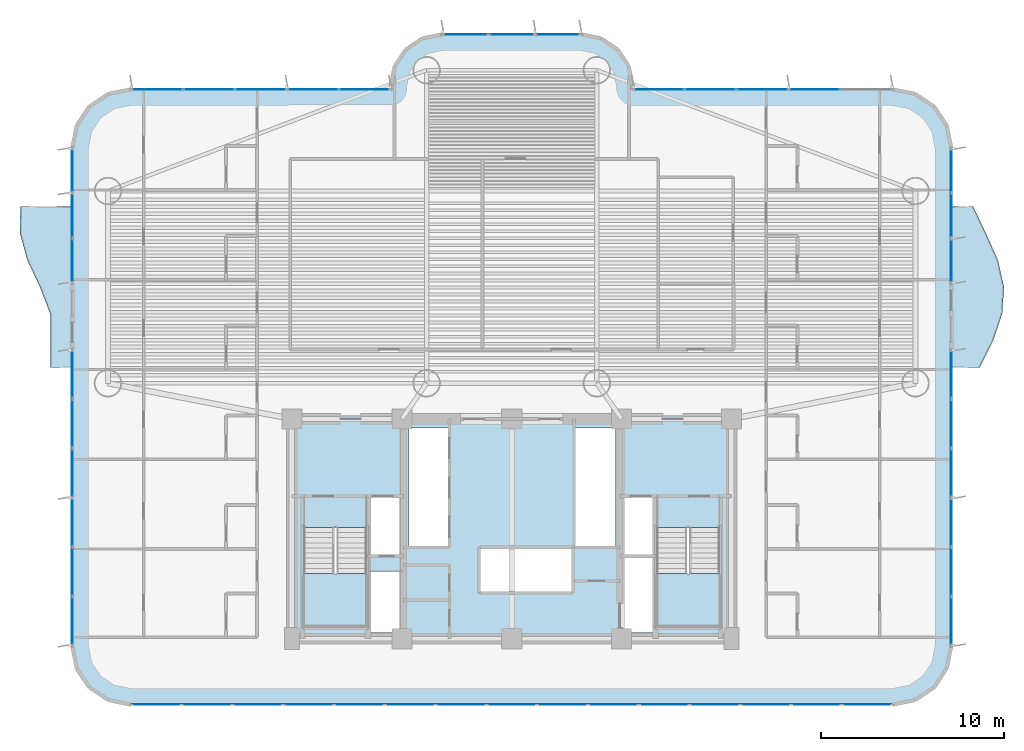
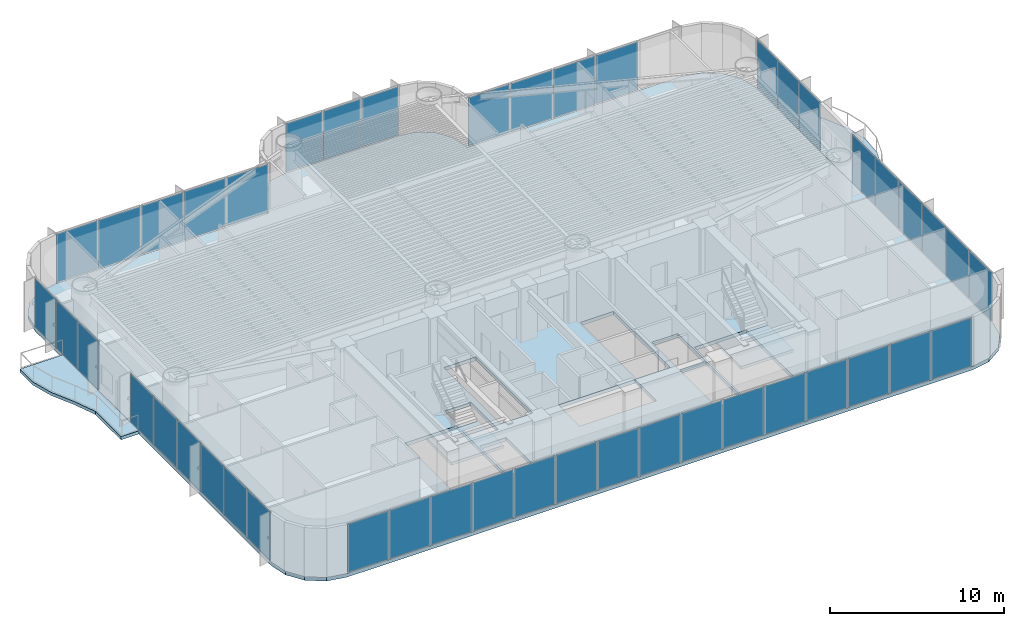
# One storey, part 9 of 19: 45 plates, 5 slabs, 10 elements without a shape of their own.
"""IFC4 building model written with IfcOpenShell, lengths in metres."""

from ifc_helpers import new_model, si_unit, direction, frame, origin, origin_2d, place, context, subcontext, project, spatial, polyline, rectangle, outline, extrude, source, transform, mapped, material, layer, layer_set, type_object, element, aggregate, save


model = new_model("IFC4")

# Units and contexts
model_context = context("Model", 3, precision=1e-05, world=origin(), true_north=direction((0.0, 1.0)))
body_context = subcontext(model_context, "Body", "Model", "MODEL_VIEW")
ifc_project = project(units=[si_unit("LENGTHUNIT", "METRE"), si_unit("AREAUNIT", "SQUARE_METRE"), si_unit("VOLUMEUNIT", "CUBIC_METRE"), si_unit("PLANEANGLEUNIT", "RADIAN"), si_unit("MASSUNIT", "GRAM", prefix="KILO")], contexts=[model_context])

# Site, building, storey
site_placement = place(None, origin())
site = spatial("IfcSite", under=ifc_project, at=site_placement, CompositionType="ELEMENT")
building_placement = place(site_placement, origin())
building = spatial("IfcBuilding", under=site, at=building_placement, Name="Brelvock Crest Care Tower", CompositionType="ELEMENT")
storey_placement = place(building_placement, frame((0.0, 0.0, 68.580078125)))
storey = spatial("IfcBuildingStorey", under=building, at=storey_placement, Name="L17", CompositionType="ELEMENT", Elevation=68.580078125)

# Slabs
ifc_material_1 = material(Name="Concrete N50 (50 MPa)", Category="concrete")
ifc_layer_1 = layer(ifc_material_1, 0.22998046875, Name="SLB-FL4")
ifc_layer_set_1 = layer_set([ifc_layer_1], Name="Concrete N50 (50 MPa)")
slab_type_1 = type_object("IfcSlabType", Name="SLB-FL4", PredefinedType="FLOOR", material=ifc_layer_set_1)
slab_1_placement = place(storey_placement, frame((0.0, 0.0, -0.25)))
element("IfcSlab", 1, at=slab_1_placement, inside=storey, type_object=slab_type_1, Name="L17 Main Structural Slab", PredefinedType="FLOOR", context=body_context, shape_type="SweptSolid", body=[
    extrude(outline(polyline([(56.800048828125, 36.0), (42.60009765625, 36.0), (42.60009765625, 36.199951171875), (42.386962890625, 37.271484375), (41.77978515625, 38.179931640625), (40.87158203125, 38.786865234375), (39.800048828125, 39.0), (32.199951171875, 39.0), (31.12841796875, 38.786865234375), (30.22021484375, 38.179931640625), (29.613037109375, 37.271484375), (29.39990234375, 36.199951171875), (29.39990234375, 36.0), (15.199951171875, 36.0), (13.975341796875, 35.75634765625), (12.937255859375, 35.062744140625), (12.24365234375, 34.024658203125), (12.0, 32.800048828125), (12.0, 5.60009765625), (12.24365234375, 4.37548828125), (12.937255859375, 3.33740234375), (13.975341796875, 2.6435546875), (15.199951171875, 2.39990234375), (56.800048828125, 2.39990234375), (58.024658203125, 2.6435546875), (59.062744140625, 3.33740234375), (59.75634765625, 4.37548828125), (60.0, 5.60009765625), (60.0, 32.800048828125), (59.75634765625, 34.024658203125), (59.062744140625, 35.062744140625), (58.024658203125, 35.75634765625), (56.800048828125, 36.0)]), holes=[polyline([(28.239990234375, 10.580078125), (29.97998046875, 10.580078125), (29.97998046875, 13.739990234375), (28.239990234375, 13.739990234375), (28.239990234375, 10.580078125)]), polyline([(42.02001953125, 10.580078125), (43.760009765625, 10.580078125), (43.760009765625, 13.739990234375), (42.02001953125, 13.739990234375), (42.02001953125, 10.580078125)]), polyline([(28.239990234375, 6.340087890625), (29.97998046875, 6.340087890625), (29.97998046875, 9.64990234375), (28.239990234375, 9.64990234375), (28.239990234375, 6.340087890625)]), polyline([(24.6298828125, 12.080078125), (24.6298828125, 6.699951171875), (28.110107421875, 6.699951171875), (28.110107421875, 12.080078125), (24.6298828125, 12.080078125)]), polyline([(43.889892578125, 12.080078125), (43.889892578125, 6.699951171875), (47.3701171875, 6.699951171875), (47.3701171875, 12.080078125), (43.889892578125, 12.080078125)]), polyline([(42.02001953125, 6.340087890625), (43.760009765625, 6.340087890625), (43.760009765625, 10.5), (42.02001953125, 10.5), (42.02001953125, 6.340087890625)]), polyline([(30.3798828125, 11.030029296875), (32.52001953125, 11.030029296875), (32.52001953125, 17.52001953125), (30.3798828125, 17.52001953125), (30.3798828125, 11.030029296875)]), polyline([(34.22998046875, 8.530029296875), (39.320068359375, 8.530029296875), (39.320068359375, 10.969970703125), (34.22998046875, 10.969970703125), (34.22998046875, 8.530029296875)]), polyline([(39.429931640625, 11.030029296875), (41.669921875, 11.030029296875), (41.669921875, 17.52001953125), (39.429931640625, 17.52001953125), (39.429931640625, 11.030029296875)])]), origin(), (0.0, 0.0, 1.0), 0.25),
])
ifc_layer_2 = layer(ifc_material_1, 0.219970703125, Name="SLB-WB1")
ifc_layer_set_2 = layer_set([ifc_layer_2], Name="Concrete N50 (50 MPa)")
slab_type_2 = type_object("IfcSlabType", Name="SLB-WB1", PredefinedType="FLOOR", material=ifc_layer_set_2)
slab_2_placement = place(storey_placement, frame((0.0, 0.0, -0.219970703125)))
element("IfcSlab", 2, at=slab_2_placement, inside=storey, type_object=slab_type_2, Name="L17 W Sinusoidal Wave Balcony Slab", PredefinedType="FLOOR", context=body_context, shape_type="SweptSolid", body=[
    extrude(outline(polyline([(12.0, 29.60009765625), (9.166015625, 29.60009765625), (9.14599609375, 28.13330078125), (9.546630859375, 26.666748046875), (10.23876953125, 25.199951171875), (10.800048828125, 23.7333984375), (10.800048828125, 22.2666015625), (10.800048828125, 20.800048828125), (12.0, 20.800048828125), (12.0, 29.60009765625)])), origin(), (0.0, 0.0, 1.0), 0.219970703125),
])
slab_3_placement = place(storey_placement, frame((0.0, 0.0, -0.219970703125)))
element("IfcSlab", 3, at=slab_3_placement, inside=storey, type_object=slab_type_2, Name="L17 E Sinusoidal Wave Balcony Slab", PredefinedType="FLOOR", context=body_context, shape_type="SweptSolid", body=[
    extrude(outline(polyline([(60.0, 20.800048828125), (61.550048828125, 20.800048828125), (62.285400390625, 22.2666015625), (62.783203125, 23.7333984375), (62.88330078125, 25.199951171875), (62.55322265625, 26.666748046875), (61.8994140625, 28.13330078125), (61.199951171875, 29.60009765625), (60.0, 29.60009765625), (60.0, 20.800048828125)])), origin(), (0.0, 0.0, 1.0), 0.219970703125),
])

# Stair, slab
ifc_material_2 = material(Name="Concrete N40 (40 MPa)", Category="concrete")
stair_type = type_object("IfcStairType", Name="ST-CORE1", PredefinedType="HALF_TURN_STAIR", material=ifc_material_2)
stair_1_placement = place(storey_placement, origin())
stair_1 = element("IfcStair", 4, at=stair_1_placement, inside=storey, type_object=stair_type, Name="L17 Fire-Isolated Core Stair ST-1", PredefinedType="HALF_TURN_STAIR")
ifc_layer_3 = layer(ifc_material_2, 0.199951171875, Name="STL-1")
ifc_layer_set_3 = layer_set([ifc_layer_3], Name="Concrete N40 (40 MPa)")
slab_type_3 = type_object("IfcSlabType", Name="STL-1", PredefinedType="LANDING", material=ifc_layer_set_3)
slab_4_placement = place(storey_placement, frame((0.0, 0.0, 1.68994140625)))
slab_4 = element("IfcSlab", 5, at=slab_4_placement, type_object=slab_type_3, Name="ST-1 landing 1", PredefinedType="LANDING", context=body_context, shape_type="SweptSolid", body=[
    extrude(outline(polyline([(24.6298828125, 9.56005859375), (24.6298828125, 6.699951171875), (28.110107421875, 6.699951171875), (28.110107421875, 9.56005859375), (24.6298828125, 9.56005859375)])), origin(), (0.0, 0.0, 1.0), 0.199951171875),
])
aggregate(stair_1, [slab_4])

stair_2_placement = place(storey_placement, origin())
stair_2 = element("IfcStair", 6, at=stair_2_placement, inside=storey, type_object=stair_type, Name="L17 Fire-Isolated Core Stair ST-2", PredefinedType="HALF_TURN_STAIR")
slab_5_placement = place(storey_placement, frame((0.0, 0.0, 1.68994140625)))
slab_5 = element("IfcSlab", 7, at=slab_5_placement, type_object=slab_type_3, Name="ST-2 landing 1", PredefinedType="LANDING", context=body_context, shape_type="SweptSolid", body=[
    extrude(outline(polyline([(43.889892578125, 9.56005859375), (43.889892578125, 6.699951171875), (47.3701171875, 6.699951171875), (47.3701171875, 9.56005859375), (43.889892578125, 9.56005859375)])), origin(), (0.0, 0.0, 1.0), 0.199951171875),
])
aggregate(stair_2, [slab_5])

# Curtain wall, plates
ifc_material_3 = material(Name="Dark Glass Double Glazed Low-E", Category="glass")
ifc_layer_4 = layer(ifc_material_3, 0.195068359375, Name="CWS-2")
ifc_layer_set_4 = layer_set([ifc_layer_4], Name="Dark Glass Double Glazed Low-E")
curtain_wall_type = type_object("IfcCurtainWallType", Name="CWS-2", PredefinedType="NOTDEFINED", material=ifc_layer_set_4)
curtain_wall_1_placement = place(storey_placement, origin())
curtain_wall_1 = element("IfcCurtainWall", 8, at=curtain_wall_1_placement, inside=storey, type_object=curtain_wall_type, Name="L17 Curtain Wall E08", PredefinedType="NOTDEFINED")
ifc_layer_5 = layer(ifc_material_3, 0.031982421875, Name="CWP-V1")
ifc_layer_set_5 = layer_set([ifc_layer_5], Name="Dark Glass Double Glazed Low-E")
plate_type = type_object("IfcPlateType", Name="CWP-V1", PredefinedType="CURTAIN_PANEL", material=ifc_layer_set_5)
shared_shape_1 = source(origin(), body_context, "Body", "SweptSolid", [
    extrude(rectangle(XDim=2.67578125, YDim=0.035888671875, at=origin_2d()), origin(), (0.0, 0.0, 1.0), 3.39990234375),
])
plate_1_placement = place(storey_placement, frame((55.39697265625, 2.39990234375, 0.06494140625), z_axis=(0.0, 0.0, 1.0), x_axis=(-1.0, 0.0, 0.0)))
plate_1 = element("IfcPlate", 9, at=plate_1_placement, type_object=plate_type, Name="CW-2 panel 1.1", PredefinedType="CURTAIN_PANEL", context=body_context, shape_type="MappedRepresentation", body=[
    mapped(shared_shape_1, transform((0.0, 0.0, 0.0), x_axis=(1.0, 0.0, 0.0), y_axis=(0.0, 1.0, 0.0), z_axis=(0.0, 0.0, 1.0), scale=1.0)),
])
plate_2_placement = place(storey_placement, frame((16.60302734375, 2.39990234375, 0.06494140625), z_axis=(0.0, 0.0, 1.0), x_axis=(-1.0, 0.0, 0.0)))
plate_2 = element("IfcPlate", 10, at=plate_2_placement, type_object=plate_type, Name="CW-2 panel 15.1", PredefinedType="CURTAIN_PANEL", context=body_context, shape_type="MappedRepresentation", body=[
    mapped(shared_shape_1, transform((0.0, 0.0, 0.0), x_axis=(1.0, 0.0, 0.0), y_axis=(0.0, 1.0, 0.0), z_axis=(0.0, 0.0, 1.0), scale=1.0)),
])
shared_shape_2 = source(origin(), body_context, "Body", "SweptSolid", [
    extrude(rectangle(XDim=2.708251953125, YDim=0.035888671875, at=origin_2d()), origin(), (0.0, 0.0, 1.0), 3.39990234375),
])
plate_3_placement = place(storey_placement, frame((52.639892578125, 2.39990234375, 0.06494140625), z_axis=(0.0, 0.0, 1.0), x_axis=(-1.0, 0.0, 0.0)))
plate_3 = element("IfcPlate", 11, at=plate_3_placement, type_object=plate_type, Name="CW-2 panel 2.1", PredefinedType="CURTAIN_PANEL", context=body_context, shape_type="MappedRepresentation", body=[
    mapped(shared_shape_2, transform((0.0, 0.0, 0.0), x_axis=(1.0, 0.0, 0.0), y_axis=(0.0, 1.0, 0.0), z_axis=(0.0, 0.0, 1.0), scale=1.0)),
])
plate_4_placement = place(storey_placement, frame((49.86669921875, 2.39990234375, 0.06494140625), z_axis=(0.0, 0.0, 1.0), x_axis=(-1.0, 0.0, 0.0)))
plate_4 = element("IfcPlate", 12, at=plate_4_placement, type_object=plate_type, Name="CW-2 panel 3.1", PredefinedType="CURTAIN_PANEL", context=body_context, shape_type="MappedRepresentation", body=[
    mapped(shared_shape_2, transform((0.0, 0.0, 0.0), x_axis=(1.0, 0.0, 0.0), y_axis=(0.0, 1.0, 0.0), z_axis=(0.0, 0.0, 1.0), scale=1.0)),
])
plate_5_placement = place(storey_placement, frame((47.09326171875, 2.39990234375, 0.06494140625), z_axis=(0.0, 0.0, 1.0), x_axis=(-1.0, 0.0, 0.0)))
plate_5 = element("IfcPlate", 13, at=plate_5_placement, type_object=plate_type, Name="CW-2 panel 4.1", PredefinedType="CURTAIN_PANEL", context=body_context, shape_type="MappedRepresentation", body=[
    mapped(shared_shape_2, transform((0.0, 0.0, 0.0), x_axis=(1.0, 0.0, 0.0), y_axis=(0.0, 1.0, 0.0), z_axis=(0.0, 0.0, 1.0), scale=1.0)),
])
plate_6_placement = place(storey_placement, frame((44.320068359375, 2.39990234375, 0.06494140625), z_axis=(0.0, 0.0, 1.0), x_axis=(-1.0, 0.0, 0.0)))
plate_6 = element("IfcPlate", 14, at=plate_6_placement, type_object=plate_type, Name="CW-2 panel 5.1", PredefinedType="CURTAIN_PANEL", context=body_context, shape_type="MappedRepresentation", body=[
    mapped(shared_shape_2, transform((0.0, 0.0, 0.0), x_axis=(1.0, 0.0, 0.0), y_axis=(0.0, 1.0, 0.0), z_axis=(0.0, 0.0, 1.0), scale=1.0)),
])
plate_7_placement = place(storey_placement, frame((41.546630859375, 2.39990234375, 0.06494140625), z_axis=(0.0, 0.0, 1.0), x_axis=(-1.0, 0.0, 0.0)))
plate_7 = element("IfcPlate", 15, at=plate_7_placement, type_object=plate_type, Name="CW-2 panel 6.1", PredefinedType="CURTAIN_PANEL", context=body_context, shape_type="MappedRepresentation", body=[
    mapped(shared_shape_2, transform((0.0, 0.0, 0.0), x_axis=(1.0, 0.0, 0.0), y_axis=(0.0, 1.0, 0.0), z_axis=(0.0, 0.0, 1.0), scale=1.0)),
])
plate_8_placement = place(storey_placement, frame((38.7734375, 2.39990234375, 0.06494140625), z_axis=(0.0, 0.0, 1.0), x_axis=(-1.0, 0.0, 0.0)))
plate_8 = element("IfcPlate", 16, at=plate_8_placement, type_object=plate_type, Name="CW-2 panel 7.1", PredefinedType="CURTAIN_PANEL", context=body_context, shape_type="MappedRepresentation", body=[
    mapped(shared_shape_2, transform((0.0, 0.0, 0.0), x_axis=(1.0, 0.0, 0.0), y_axis=(0.0, 1.0, 0.0), z_axis=(0.0, 0.0, 1.0), scale=1.0)),
])
plate_9_placement = place(storey_placement, frame((36.0, 2.39990234375, 0.06494140625), z_axis=(0.0, 0.0, 1.0), x_axis=(-1.0, 0.0, 0.0)))
plate_9 = element("IfcPlate", 17, at=plate_9_placement, type_object=plate_type, Name="CW-2 panel 8.1", PredefinedType="CURTAIN_PANEL", context=body_context, shape_type="MappedRepresentation", body=[
    mapped(shared_shape_2, transform((0.0, 0.0, 0.0), x_axis=(1.0, 0.0, 0.0), y_axis=(0.0, 1.0, 0.0), z_axis=(0.0, 0.0, 1.0), scale=1.0)),
])
plate_10_placement = place(storey_placement, frame((33.2265625, 2.39990234375, 0.06494140625), z_axis=(0.0, 0.0, 1.0), x_axis=(-1.0, 0.0, 0.0)))
plate_10 = element("IfcPlate", 18, at=plate_10_placement, type_object=plate_type, Name="CW-2 panel 9.1", PredefinedType="CURTAIN_PANEL", context=body_context, shape_type="MappedRepresentation", body=[
    mapped(shared_shape_2, transform((0.0, 0.0, 0.0), x_axis=(1.0, 0.0, 0.0), y_axis=(0.0, 1.0, 0.0), z_axis=(0.0, 0.0, 1.0), scale=1.0)),
])
plate_11_placement = place(storey_placement, frame((30.453369140625, 2.39990234375, 0.06494140625), z_axis=(0.0, 0.0, 1.0), x_axis=(-1.0, 0.0, 0.0)))
plate_11 = element("IfcPlate", 19, at=plate_11_placement, type_object=plate_type, Name="CW-2 panel 10.1", PredefinedType="CURTAIN_PANEL", context=body_context, shape_type="MappedRepresentation", body=[
    mapped(shared_shape_2, transform((0.0, 0.0, 0.0), x_axis=(1.0, 0.0, 0.0), y_axis=(0.0, 1.0, 0.0), z_axis=(0.0, 0.0, 1.0), scale=1.0)),
])
plate_12_placement = place(storey_placement, frame((27.679931640625, 2.39990234375, 0.06494140625), z_axis=(0.0, 0.0, 1.0), x_axis=(-1.0, 0.0, 0.0)))
plate_12 = element("IfcPlate", 20, at=plate_12_placement, type_object=plate_type, Name="CW-2 panel 11.1", PredefinedType="CURTAIN_PANEL", context=body_context, shape_type="MappedRepresentation", body=[
    mapped(shared_shape_2, transform((0.0, 0.0, 0.0), x_axis=(1.0, 0.0, 0.0), y_axis=(0.0, 1.0, 0.0), z_axis=(0.0, 0.0, 1.0), scale=1.0)),
])
plate_13_placement = place(storey_placement, frame((24.90673828125, 2.39990234375, 0.06494140625), z_axis=(0.0, 0.0, 1.0), x_axis=(-1.0, 0.0, 0.0)))
plate_13 = element("IfcPlate", 21, at=plate_13_placement, type_object=plate_type, Name="CW-2 panel 12.1", PredefinedType="CURTAIN_PANEL", context=body_context, shape_type="MappedRepresentation", body=[
    mapped(shared_shape_2, transform((0.0, 0.0, 0.0), x_axis=(1.0, 0.0, 0.0), y_axis=(0.0, 1.0, 0.0), z_axis=(0.0, 0.0, 1.0), scale=1.0)),
])
plate_14_placement = place(storey_placement, frame((22.13330078125, 2.39990234375, 0.06494140625), z_axis=(0.0, 0.0, 1.0), x_axis=(-1.0, 0.0, 0.0)))
plate_14 = element("IfcPlate", 22, at=plate_14_placement, type_object=plate_type, Name="CW-2 panel 13.1", PredefinedType="CURTAIN_PANEL", context=body_context, shape_type="MappedRepresentation", body=[
    mapped(shared_shape_2, transform((0.0, 0.0, 0.0), x_axis=(1.0, 0.0, 0.0), y_axis=(0.0, 1.0, 0.0), z_axis=(0.0, 0.0, 1.0), scale=1.0)),
])
plate_15_placement = place(storey_placement, frame((19.360107421875, 2.39990234375, 0.06494140625), z_axis=(0.0, 0.0, 1.0), x_axis=(-1.0, 0.0, 0.0)))
plate_15 = element("IfcPlate", 23, at=plate_15_placement, type_object=plate_type, Name="CW-2 panel 14.1", PredefinedType="CURTAIN_PANEL", context=body_context, shape_type="MappedRepresentation", body=[
    mapped(shared_shape_2, transform((0.0, 0.0, 0.0), x_axis=(1.0, 0.0, 0.0), y_axis=(0.0, 1.0, 0.0), z_axis=(0.0, 0.0, 1.0), scale=1.0)),
])
aggregate(curtain_wall_1, [plate_1, plate_3, plate_4, plate_5, plate_6, plate_7, plate_8, plate_9, plate_10, plate_11, plate_12, plate_13, plate_14, plate_15, plate_2])

curtain_wall_2_placement = place(storey_placement, origin())
curtain_wall_2 = element("IfcCurtainWall", 24, at=curtain_wall_2_placement, inside=storey, type_object=curtain_wall_type, Name="L17 Curtain Wall E18", PredefinedType="NOTDEFINED")
shared_shape_3 = source(origin(), body_context, "Body", "SweptSolid", [
    extrude(rectangle(XDim=2.742431640625, YDim=0.035888671875, at=origin_2d()), origin(), (0.0, 0.0, 1.0), 3.39990234375),
])
plate_16_placement = place(storey_placement, frame((16.63623046875, 36.0, 0.06494140625), z_axis=(0.0, 0.0, 1.0), x_axis=(1.0, 0.0, 0.0)))
plate_16 = element("IfcPlate", 25, at=plate_16_placement, type_object=plate_type, Name="CW-2 panel 1.1", PredefinedType="CURTAIN_PANEL", context=body_context, shape_type="MappedRepresentation", body=[
    mapped(shared_shape_3, transform((0.0, 0.0, 0.0), x_axis=(1.0, 0.0, 0.0), y_axis=(0.0, 1.0, 0.0), z_axis=(0.0, 0.0, 1.0), scale=1.0)),
])
plate_17_placement = place(storey_placement, frame((27.9638671875, 36.0, 0.06494140625), z_axis=(0.0, 0.0, 1.0), x_axis=(1.0, 0.0, 0.0)))
plate_17 = element("IfcPlate", 26, at=plate_17_placement, type_object=plate_type, Name="CW-2 panel 5.1", PredefinedType="CURTAIN_PANEL", context=body_context, shape_type="MappedRepresentation", body=[
    mapped(shared_shape_3, transform((0.0, 0.0, 0.0), x_axis=(1.0, 0.0, 0.0), y_axis=(0.0, 1.0, 0.0), z_axis=(0.0, 0.0, 1.0), scale=1.0)),
])

# Curtain wall, plate
curtain_wall_3_placement = place(storey_placement, origin())
curtain_wall_3 = element("IfcCurtainWall", 27, at=curtain_wall_3_placement, inside=storey, type_object=curtain_wall_type, Name="L17 Curtain Wall E30", PredefinedType="NOTDEFINED")
plate_18_placement = place(storey_placement, frame((44.0361328125, 36.0, 0.06494140625), z_axis=(0.0, 0.0, 1.0), x_axis=(1.0, 0.0, 0.0)))
plate_18 = element("IfcPlate", 28, at=plate_18_placement, type_object=plate_type, Name="CW-2 panel 1.1", PredefinedType="CURTAIN_PANEL", context=body_context, shape_type="MappedRepresentation", body=[
    mapped(shared_shape_3, transform((0.0, 0.0, 0.0), x_axis=(1.0, 0.0, 0.0), y_axis=(0.0, 1.0, 0.0), z_axis=(0.0, 0.0, 1.0), scale=1.0)),
])

# Plate
shared_shape_4 = source(origin(), body_context, "Body", "SweptSolid", [
    extrude(rectangle(XDim=2.77490234375, YDim=0.035888671875, at=origin_2d()), origin(), (0.0, 0.0, 1.0), 3.39990234375),
])
plate_19_placement = place(storey_placement, frame((19.4599609375, 36.0, 0.06494140625), z_axis=(0.0, 0.0, 1.0), x_axis=(1.0, 0.0, 0.0)))
plate_19 = element("IfcPlate", 29, at=plate_19_placement, type_object=plate_type, Name="CW-2 panel 2.1", PredefinedType="CURTAIN_PANEL", context=body_context, shape_type="MappedRepresentation", body=[
    mapped(shared_shape_4, transform((0.0, 0.0, 0.0), x_axis=(1.0, 0.0, 0.0), y_axis=(0.0, 1.0, 0.0), z_axis=(0.0, 0.0, 1.0), scale=1.0)),
])

plate_20_placement = place(storey_placement, frame((22.300048828125, 36.0, 0.06494140625), z_axis=(0.0, 0.0, 1.0), x_axis=(1.0, 0.0, 0.0)))
plate_20 = element("IfcPlate", 30, at=plate_20_placement, type_object=plate_type, Name="CW-2 panel 3.1", PredefinedType="CURTAIN_PANEL", context=body_context, shape_type="MappedRepresentation", body=[
    mapped(shared_shape_4, transform((0.0, 0.0, 0.0), x_axis=(1.0, 0.0, 0.0), y_axis=(0.0, 1.0, 0.0), z_axis=(0.0, 0.0, 1.0), scale=1.0)),
])

plate_21_placement = place(storey_placement, frame((25.139892578125, 36.0, 0.06494140625), z_axis=(0.0, 0.0, 1.0), x_axis=(1.0, 0.0, 0.0)))
plate_21 = element("IfcPlate", 31, at=plate_21_placement, type_object=plate_type, Name="CW-2 panel 4.1", PredefinedType="CURTAIN_PANEL", context=body_context, shape_type="MappedRepresentation", body=[
    mapped(shared_shape_4, transform((0.0, 0.0, 0.0), x_axis=(1.0, 0.0, 0.0), y_axis=(0.0, 1.0, 0.0), z_axis=(0.0, 0.0, 1.0), scale=1.0)),
])

aggregate(curtain_wall_2, [plate_16, plate_19, plate_20, plate_21, plate_17])

plate_22_placement = place(storey_placement, frame((46.860107421875, 36.0, 0.06494140625), z_axis=(0.0, 0.0, 1.0), x_axis=(1.0, 0.0, 0.0)))
plate_22 = element("IfcPlate", 32, at=plate_22_placement, type_object=plate_type, Name="CW-2 panel 2.1", PredefinedType="CURTAIN_PANEL", context=body_context, shape_type="MappedRepresentation", body=[
    mapped(shared_shape_4, transform((0.0, 0.0, 0.0), x_axis=(1.0, 0.0, 0.0), y_axis=(0.0, 1.0, 0.0), z_axis=(0.0, 0.0, 1.0), scale=1.0)),
])

plate_23_placement = place(storey_placement, frame((49.699951171875, 36.0, 0.06494140625), z_axis=(0.0, 0.0, 1.0), x_axis=(1.0, 0.0, 0.0)))
plate_23 = element("IfcPlate", 33, at=plate_23_placement, type_object=plate_type, Name="CW-2 panel 3.1", PredefinedType="CURTAIN_PANEL", context=body_context, shape_type="MappedRepresentation", body=[
    mapped(shared_shape_4, transform((0.0, 0.0, 0.0), x_axis=(1.0, 0.0, 0.0), y_axis=(0.0, 1.0, 0.0), z_axis=(0.0, 0.0, 1.0), scale=1.0)),
])

plate_24_placement = place(storey_placement, frame((52.5400390625, 36.0, 0.06494140625), z_axis=(0.0, 0.0, 1.0), x_axis=(1.0, 0.0, 0.0)))
plate_24 = element("IfcPlate", 34, at=plate_24_placement, type_object=plate_type, Name="CW-2 panel 4.1", PredefinedType="CURTAIN_PANEL", context=body_context, shape_type="MappedRepresentation", body=[
    mapped(shared_shape_4, transform((0.0, 0.0, 0.0), x_axis=(1.0, 0.0, 0.0), y_axis=(0.0, 1.0, 0.0), z_axis=(0.0, 0.0, 1.0), scale=1.0)),
])

aggregate(curtain_wall_3, [plate_18, plate_22, plate_23, plate_24])

# Curtain wall, plates
curtain_wall_4_placement = place(storey_placement, origin())
curtain_wall_4 = element("IfcCurtainWall", 35, at=curtain_wall_4_placement, inside=storey, type_object=curtain_wall_type, Name="L17 Curtain Wall E24", PredefinedType="NOTDEFINED")
shared_shape_5 = source(origin(), body_context, "Body", "SweptSolid", [
    extrude(rectangle(XDim=2.435791015625, YDim=0.035888671875, at=origin_2d()), origin(), (0.0, 0.0, 1.0), 3.39990234375),
])
plate_25_placement = place(storey_placement, frame((33.48291015625, 39.0, 0.06494140625), z_axis=(0.0, 0.0, 1.0), x_axis=(1.0, 0.0, 0.0)))
plate_25 = element("IfcPlate", 36, at=plate_25_placement, type_object=plate_type, Name="CW-2 panel 1.1", PredefinedType="CURTAIN_PANEL", context=body_context, shape_type="MappedRepresentation", body=[
    mapped(shared_shape_5, transform((0.0, 0.0, 0.0), x_axis=(1.0, 0.0, 0.0), y_axis=(0.0, 1.0, 0.0), z_axis=(0.0, 0.0, 1.0), scale=1.0)),
])
plate_26_placement = place(storey_placement, frame((38.51708984375, 39.0, 0.06494140625), z_axis=(0.0, 0.0, 1.0), x_axis=(1.0, 0.0, 0.0)))
plate_26 = element("IfcPlate", 37, at=plate_26_placement, type_object=plate_type, Name="CW-2 panel 3.1", PredefinedType="CURTAIN_PANEL", context=body_context, shape_type="MappedRepresentation", body=[
    mapped(shared_shape_5, transform((0.0, 0.0, 0.0), x_axis=(1.0, 0.0, 0.0), y_axis=(0.0, 1.0, 0.0), z_axis=(0.0, 0.0, 1.0), scale=1.0)),
])
shared_shape_6 = source(origin(), body_context, "Body", "SweptSolid", [
    extrude(rectangle(XDim=2.46826171875, YDim=0.035888671875, at=origin_2d()), origin(), (0.0, 0.0, 1.0), 3.39990234375),
])
plate_27_placement = place(storey_placement, frame((36.0, 39.0, 0.06494140625), z_axis=(0.0, 0.0, 1.0), x_axis=(1.0, 0.0, 0.0)))
plate_27 = element("IfcPlate", 38, at=plate_27_placement, type_object=plate_type, Name="CW-2 panel 2.1", PredefinedType="CURTAIN_PANEL", context=body_context, shape_type="MappedRepresentation", body=[
    mapped(shared_shape_6, transform((0.0, 0.0, 0.0), x_axis=(1.0, 0.0, 0.0), y_axis=(0.0, 1.0, 0.0), z_axis=(0.0, 0.0, 1.0), scale=1.0)),
])
aggregate(curtain_wall_4, [plate_25, plate_27, plate_26])

curtain_wall_5_placement = place(storey_placement, origin())
curtain_wall_5 = element("IfcCurtainWall", 39, at=curtain_wall_5_placement, inside=storey, type_object=curtain_wall_type, Name="L17 Curtain Wall E03B", PredefinedType="NOTDEFINED")
shared_shape_7 = source(origin(), body_context, "Body", "SweptSolid", [
    extrude(rectangle(XDim=2.6025390625, YDim=0.035888671875, at=origin_2d()), origin(), (0.0, 0.0, 1.0), 3.39990234375),
])
plate_28_placement = place(storey_placement, frame((60.0, 20.433837890625, 0.06494140625), z_axis=(0.0, 0.0, 1.0), x_axis=(0.0, -1.0, 0.0)))
plate_28 = element("IfcPlate", 40, at=plate_28_placement, type_object=plate_type, Name="CW-2 panel 1.1", PredefinedType="CURTAIN_PANEL", context=body_context, shape_type="MappedRepresentation", body=[
    mapped(shared_shape_7, transform((0.0, 0.0, 0.0), x_axis=(1.0, 0.0, 0.0), y_axis=(0.0, 1.0, 0.0), z_axis=(0.0, 0.0, 1.0), scale=1.0)),
])
plate_29_placement = place(storey_placement, frame((60.0, 6.96630859375, 0.06494140625), z_axis=(0.0, 0.0, 1.0), x_axis=(0.0, -1.0, 0.0)))
plate_29 = element("IfcPlate", 41, at=plate_29_placement, type_object=plate_type, Name="CW-2 panel 6.1", PredefinedType="CURTAIN_PANEL", context=body_context, shape_type="MappedRepresentation", body=[
    mapped(shared_shape_7, transform((0.0, 0.0, 0.0), x_axis=(1.0, 0.0, 0.0), y_axis=(0.0, 1.0, 0.0), z_axis=(0.0, 0.0, 1.0), scale=1.0)),
])

curtain_wall_6_placement = place(storey_placement, origin())
curtain_wall_6 = element("IfcCurtainWall", 42, at=curtain_wall_6_placement, inside=storey, type_object=curtain_wall_type, Name="L17 Curtain Wall E13A", PredefinedType="NOTDEFINED")
plate_30_placement = place(storey_placement, frame((12.0, 6.96630859375, 0.06494140625), z_axis=(0.0, 0.0, 1.0), x_axis=(0.0, 1.0, 0.0)))
plate_30 = element("IfcPlate", 43, at=plate_30_placement, type_object=plate_type, Name="CW-2 panel 1.1", PredefinedType="CURTAIN_PANEL", context=body_context, shape_type="MappedRepresentation", body=[
    mapped(shared_shape_7, transform((0.0, 0.0, 0.0), x_axis=(1.0, 0.0, 0.0), y_axis=(0.0, 1.0, 0.0), z_axis=(0.0, 0.0, 1.0), scale=1.0)),
])
plate_31_placement = place(storey_placement, frame((12.0, 20.433837890625, 0.06494140625), z_axis=(0.0, 0.0, 1.0), x_axis=(0.0, 1.0, 0.0)))
plate_31 = element("IfcPlate", 44, at=plate_31_placement, type_object=plate_type, Name="CW-2 panel 6.1", PredefinedType="CURTAIN_PANEL", context=body_context, shape_type="MappedRepresentation", body=[
    mapped(shared_shape_7, transform((0.0, 0.0, 0.0), x_axis=(1.0, 0.0, 0.0), y_axis=(0.0, 1.0, 0.0), z_axis=(0.0, 0.0, 1.0), scale=1.0)),
])

# Plate
shared_shape_8 = source(origin(), body_context, "Body", "SweptSolid", [
    extrude(rectangle(XDim=2.635009765625, YDim=0.035888671875, at=origin_2d()), origin(), (0.0, 0.0, 1.0), 3.39990234375),
])
plate_32_placement = place(storey_placement, frame((60.0, 17.75, 0.06494140625), z_axis=(0.0, 0.0, 1.0), x_axis=(0.0, -1.0, 0.0)))
plate_32 = element("IfcPlate", 45, at=plate_32_placement, type_object=plate_type, Name="CW-2 panel 2.1", PredefinedType="CURTAIN_PANEL", context=body_context, shape_type="MappedRepresentation", body=[
    mapped(shared_shape_8, transform((0.0, 0.0, 0.0), x_axis=(1.0, 0.0, 0.0), y_axis=(0.0, 1.0, 0.0), z_axis=(0.0, 0.0, 1.0), scale=1.0)),
])

plate_33_placement = place(storey_placement, frame((60.0, 15.050048828125, 0.06494140625), z_axis=(0.0, 0.0, 1.0), x_axis=(0.0, -1.0, 0.0)))
plate_33 = element("IfcPlate", 46, at=plate_33_placement, type_object=plate_type, Name="CW-2 panel 3.1", PredefinedType="CURTAIN_PANEL", context=body_context, shape_type="MappedRepresentation", body=[
    mapped(shared_shape_8, transform((0.0, 0.0, 0.0), x_axis=(1.0, 0.0, 0.0), y_axis=(0.0, 1.0, 0.0), z_axis=(0.0, 0.0, 1.0), scale=1.0)),
])

plate_34_placement = place(storey_placement, frame((60.0, 12.35009765625, 0.06494140625), z_axis=(0.0, 0.0, 1.0), x_axis=(0.0, -1.0, 0.0)))
plate_34 = element("IfcPlate", 47, at=plate_34_placement, type_object=plate_type, Name="CW-2 panel 4.1", PredefinedType="CURTAIN_PANEL", context=body_context, shape_type="MappedRepresentation", body=[
    mapped(shared_shape_8, transform((0.0, 0.0, 0.0), x_axis=(1.0, 0.0, 0.0), y_axis=(0.0, 1.0, 0.0), z_axis=(0.0, 0.0, 1.0), scale=1.0)),
])

plate_35_placement = place(storey_placement, frame((60.0, 9.64990234375, 0.06494140625), z_axis=(0.0, 0.0, 1.0), x_axis=(0.0, -1.0, 0.0)))
plate_35 = element("IfcPlate", 48, at=plate_35_placement, type_object=plate_type, Name="CW-2 panel 5.1", PredefinedType="CURTAIN_PANEL", context=body_context, shape_type="MappedRepresentation", body=[
    mapped(shared_shape_8, transform((0.0, 0.0, 0.0), x_axis=(1.0, 0.0, 0.0), y_axis=(0.0, 1.0, 0.0), z_axis=(0.0, 0.0, 1.0), scale=1.0)),
])

aggregate(curtain_wall_5, [plate_28, plate_32, plate_33, plate_34, plate_35, plate_29])

plate_36_placement = place(storey_placement, frame((12.0, 9.64990234375, 0.06494140625), z_axis=(0.0, 0.0, 1.0), x_axis=(0.0, 1.0, 0.0)))
plate_36 = element("IfcPlate", 49, at=plate_36_placement, type_object=plate_type, Name="CW-2 panel 2.1", PredefinedType="CURTAIN_PANEL", context=body_context, shape_type="MappedRepresentation", body=[
    mapped(shared_shape_8, transform((0.0, 0.0, 0.0), x_axis=(1.0, 0.0, 0.0), y_axis=(0.0, 1.0, 0.0), z_axis=(0.0, 0.0, 1.0), scale=1.0)),
])

plate_37_placement = place(storey_placement, frame((12.0, 12.35009765625, 0.06494140625), z_axis=(0.0, 0.0, 1.0), x_axis=(0.0, 1.0, 0.0)))
plate_37 = element("IfcPlate", 50, at=plate_37_placement, type_object=plate_type, Name="CW-2 panel 3.1", PredefinedType="CURTAIN_PANEL", context=body_context, shape_type="MappedRepresentation", body=[
    mapped(shared_shape_8, transform((0.0, 0.0, 0.0), x_axis=(1.0, 0.0, 0.0), y_axis=(0.0, 1.0, 0.0), z_axis=(0.0, 0.0, 1.0), scale=1.0)),
])

plate_38_placement = place(storey_placement, frame((12.0, 15.050048828125, 0.06494140625), z_axis=(0.0, 0.0, 1.0), x_axis=(0.0, 1.0, 0.0)))
plate_38 = element("IfcPlate", 51, at=plate_38_placement, type_object=plate_type, Name="CW-2 panel 4.1", PredefinedType="CURTAIN_PANEL", context=body_context, shape_type="MappedRepresentation", body=[
    mapped(shared_shape_8, transform((0.0, 0.0, 0.0), x_axis=(1.0, 0.0, 0.0), y_axis=(0.0, 1.0, 0.0), z_axis=(0.0, 0.0, 1.0), scale=1.0)),
])

plate_39_placement = place(storey_placement, frame((12.0, 17.75, 0.06494140625), z_axis=(0.0, 0.0, 1.0), x_axis=(0.0, 1.0, 0.0)))
plate_39 = element("IfcPlate", 52, at=plate_39_placement, type_object=plate_type, Name="CW-2 panel 5.1", PredefinedType="CURTAIN_PANEL", context=body_context, shape_type="MappedRepresentation", body=[
    mapped(shared_shape_8, transform((0.0, 0.0, 0.0), x_axis=(1.0, 0.0, 0.0), y_axis=(0.0, 1.0, 0.0), z_axis=(0.0, 0.0, 1.0), scale=1.0)),
])

aggregate(curtain_wall_6, [plate_30, plate_36, plate_37, plate_38, plate_39, plate_31])

# Curtain wall, plates
curtain_wall_7_placement = place(storey_placement, origin())
curtain_wall_7 = element("IfcCurtainWall", 53, at=curtain_wall_7_placement, inside=storey, type_object=curtain_wall_type, Name="L17 Curtain Wall E03A", PredefinedType="NOTDEFINED")
shared_shape_9 = source(origin(), body_context, "Body", "SweptSolid", [
    extrude(rectangle(XDim=2.369140625, YDim=0.035888671875, at=origin_2d()), origin(), (0.0, 0.0, 1.0), 3.39990234375),
])
plate_40_placement = place(storey_placement, frame((60.0, 31.550537109375, 0.06494140625), z_axis=(0.0, 0.0, 1.0), x_axis=(0.0, -1.0, 0.0)))
plate_40 = element("IfcPlate", 54, at=plate_40_placement, type_object=plate_type, Name="CW-2 panel 1.1", PredefinedType="CURTAIN_PANEL", context=body_context, shape_type="MappedRepresentation", body=[
    mapped(shared_shape_9, transform((0.0, 0.0, 0.0), x_axis=(1.0, 0.0, 0.0), y_axis=(0.0, 1.0, 0.0), z_axis=(0.0, 0.0, 1.0), scale=1.0)),
])
plate_41_placement = place(storey_placement, frame((60.0, 26.649658203125, 0.06494140625), z_axis=(0.0, 0.0, 1.0), x_axis=(0.0, -1.0, 0.0)))
plate_41 = element("IfcPlate", 55, at=plate_41_placement, type_object=plate_type, Name="CW-2 panel 3.1", PredefinedType="CURTAIN_PANEL", context=body_context, shape_type="MappedRepresentation", body=[
    mapped(shared_shape_9, transform((0.0, 0.0, 0.0), x_axis=(1.0, 0.0, 0.0), y_axis=(0.0, 1.0, 0.0), z_axis=(0.0, 0.0, 1.0), scale=1.0)),
])

curtain_wall_8_placement = place(storey_placement, origin())
curtain_wall_8 = element("IfcCurtainWall", 56, at=curtain_wall_8_placement, inside=storey, type_object=curtain_wall_type, Name="L17 Curtain Wall E13B", PredefinedType="NOTDEFINED")
plate_42_placement = place(storey_placement, frame((12.0, 26.649658203125, 0.06494140625), z_axis=(0.0, 0.0, 1.0), x_axis=(0.0, 1.0, 0.0)))
plate_42 = element("IfcPlate", 57, at=plate_42_placement, type_object=plate_type, Name="CW-2 panel 1.1", PredefinedType="CURTAIN_PANEL", context=body_context, shape_type="MappedRepresentation", body=[
    mapped(shared_shape_9, transform((0.0, 0.0, 0.0), x_axis=(1.0, 0.0, 0.0), y_axis=(0.0, 1.0, 0.0), z_axis=(0.0, 0.0, 1.0), scale=1.0)),
])
plate_43_placement = place(storey_placement, frame((12.0, 31.550537109375, 0.06494140625), z_axis=(0.0, 0.0, 1.0), x_axis=(0.0, 1.0, 0.0)))
plate_43 = element("IfcPlate", 58, at=plate_43_placement, type_object=plate_type, Name="CW-2 panel 3.1", PredefinedType="CURTAIN_PANEL", context=body_context, shape_type="MappedRepresentation", body=[
    mapped(shared_shape_9, transform((0.0, 0.0, 0.0), x_axis=(1.0, 0.0, 0.0), y_axis=(0.0, 1.0, 0.0), z_axis=(0.0, 0.0, 1.0), scale=1.0)),
])

# Plate
shared_shape_10 = source(origin(), body_context, "Body", "SweptSolid", [
    extrude(rectangle(XDim=2.401611328125, YDim=0.035888671875, at=origin_2d()), origin(), (0.0, 0.0, 1.0), 3.39990234375),
])
plate_44_placement = place(storey_placement, frame((60.0, 29.10009765625, 0.06494140625), z_axis=(0.0, 0.0, 1.0), x_axis=(0.0, -1.0, 0.0)))
plate_44 = element("IfcPlate", 59, at=plate_44_placement, type_object=plate_type, Name="CW-2 panel 2.1", PredefinedType="CURTAIN_PANEL", context=body_context, shape_type="MappedRepresentation", body=[
    mapped(shared_shape_10, transform((0.0, 0.0, 0.0), x_axis=(1.0, 0.0, 0.0), y_axis=(0.0, 1.0, 0.0), z_axis=(0.0, 0.0, 1.0), scale=1.0)),
])

aggregate(curtain_wall_7, [plate_40, plate_44, plate_41])

plate_45_placement = place(storey_placement, frame((12.0, 29.10009765625, 0.06494140625), z_axis=(0.0, 0.0, 1.0), x_axis=(0.0, 1.0, 0.0)))
plate_45 = element("IfcPlate", 60, at=plate_45_placement, type_object=plate_type, Name="CW-2 panel 2.1", PredefinedType="CURTAIN_PANEL", context=body_context, shape_type="MappedRepresentation", body=[
    mapped(shared_shape_10, transform((0.0, 0.0, 0.0), x_axis=(1.0, 0.0, 0.0), y_axis=(0.0, 1.0, 0.0), z_axis=(0.0, 0.0, 1.0), scale=1.0)),
])

aggregate(curtain_wall_8, [plate_42, plate_45, plate_43])

save(model, "model.ifc")
